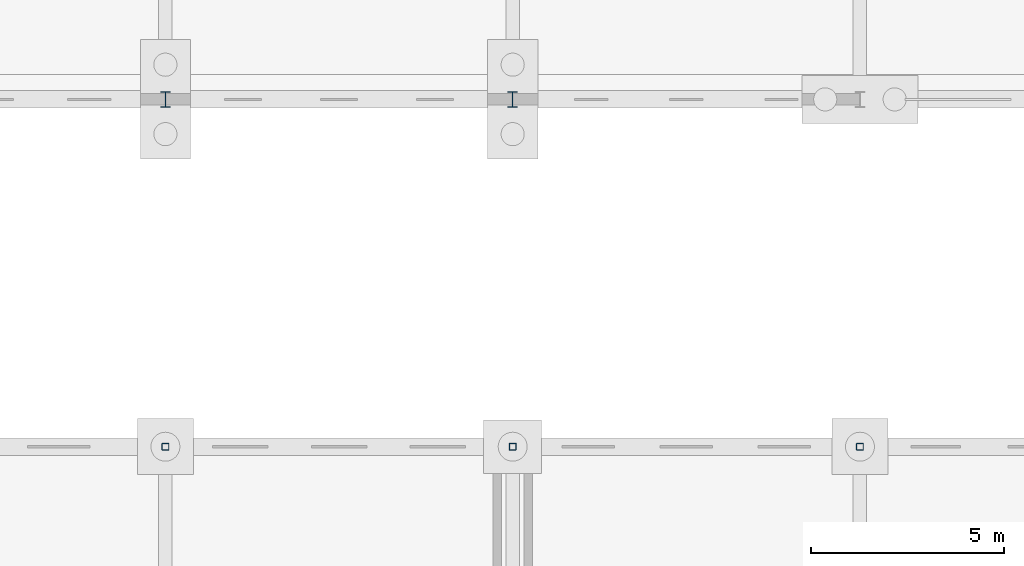
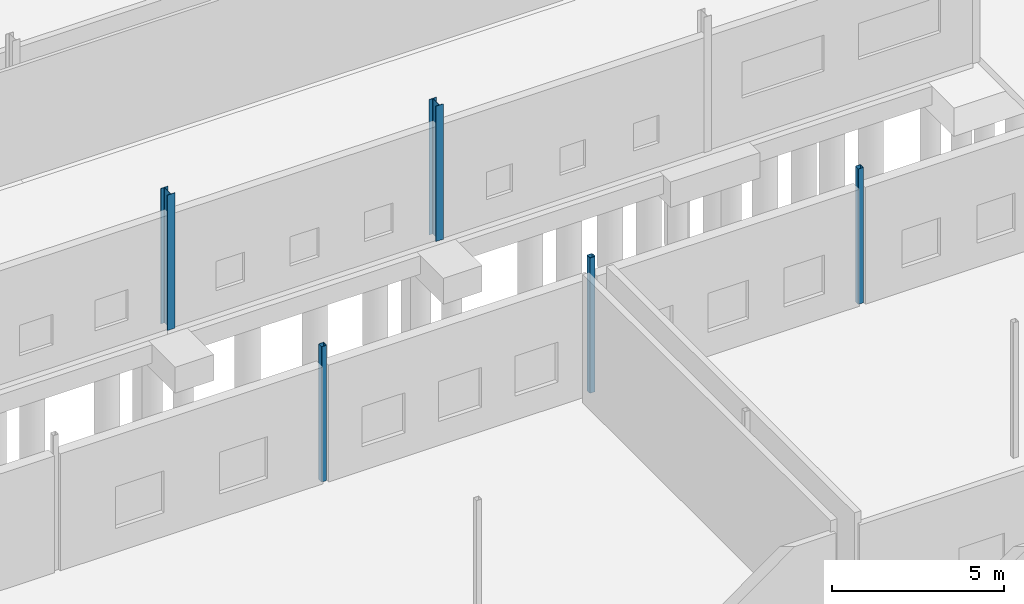
# One storey, part 42 of 112: 5 columns.
"""IFC4 building model written with IfcOpenShell, lengths in metres."""

from ifc_helpers import new_model, si_unit, direction, frame, origin, origin_2d, place, context, subcontext, project, spatial, hollow_rectangle, i_section, extrude, material, material_profile, profile_set, type_object, element, save


model = new_model("IFC4")

# Units and contexts
model_context = context("Model", 3, precision=1e-05, world=origin(), true_north=direction((0.0, 1.0)))
body_context = subcontext(model_context, "Body", "Model", "MODEL_VIEW")
ifc_project = project(units=[si_unit("LENGTHUNIT", "METRE"), si_unit("AREAUNIT", "SQUARE_METRE"), si_unit("VOLUMEUNIT", "CUBIC_METRE"), si_unit("PLANEANGLEUNIT", "RADIAN"), si_unit("MASSUNIT", "GRAM", prefix="KILO")], contexts=[model_context])

# Site, building, storey
site_placement = place(None, origin())
site = spatial("IfcSite", under=ifc_project, at=site_placement, CompositionType="ELEMENT")
building_placement = place(site_placement, origin())
building = spatial("IfcBuilding", under=site, at=building_placement, Name="Tharagai Park Tramway Depot", CompositionType="ELEMENT")
storey_placement = place(building_placement, origin())
storey = spatial("IfcBuildingStorey", under=building, at=storey_placement, Name="L00", CompositionType="ELEMENT", Elevation=0.0)

# Columns
ifc_material = material(Name="Steel E350", Category="steel")
ifc_material_profile_1 = material_profile(ifc_material, hollow_rectangle(XDim=0.179931640625, YDim=0.179931640625, WallThickness=0.008056640625, InnerFilletRadius=0.008056640625, OuterFilletRadius=0.01611328125, at=origin_2d()), Name="SHS 180x180x8")
ifc_profile_set_1 = profile_set([ifc_material_profile_1], Name="Steel E350")
column_type_1 = type_object("IfcColumnType", Name="CL-04", PredefinedType="COLUMN", material=ifc_profile_set_1)
for number, where, z_axis, x_axis, name in (
    (1, (189.0, 81.0, 0.0), (0.0, 0.0, 1.0), (1.0, 0.0, 0.0), "L00 Structural Column CL-04 (189,81)"),
    (2, (198.0, 81.0, 0.0), (0.0, 0.0, 1.0), (1.0, 0.0, 0.0), "L00 Structural Column CL-04 (198,81)"),
    (3, (207.0, 81.0, 0.0), (0.0, 0.0, 1.0), (1.0, 0.0, 0.0), "L00 Structural Column CL-04 (207,81)"),
):
    element("IfcColumn", number, at=place(storey_placement, frame(where, z_axis=z_axis, x_axis=x_axis)), inside=storey, type_object=column_type_1, Name=name, PredefinedType="COLUMN", context=body_context, shape_type="SweptSolid", body=[
        extrude(hollow_rectangle(XDim=0.179931640625, YDim=0.179931640625, WallThickness=0.008056640625, InnerFilletRadius=0.008056640625, OuterFilletRadius=0.01611328125, at=origin_2d()), origin(), (0.0, 0.0, 1.0), 4.800048828125),
    ])
ifc_material_profile_2 = material_profile(ifc_material, i_section(OverallWidth=0.25, OverallDepth=0.39990234375, WebThickness=0.010498046875, FlangeThickness=0.0126953125, FilletRadius=0.013916015625, at=origin_2d()), Name="ISHB 400")
ifc_profile_set_2 = profile_set([ifc_material_profile_2], Name="Steel E350")
column_type_2 = type_object("IfcColumnType", Name="CL-06", PredefinedType="COLUMN", material=ifc_profile_set_2)
for number, where, z_axis, x_axis, name in (
    (4, (189.0, 90.0, 0.0), (0.0, 0.0, 1.0), (1.0, 0.0, 0.0), "L00 Structural Column CL-06 (189,90)"),
    (5, (198.0, 90.0, 0.0), (0.0, 0.0, 1.0), (1.0, 0.0, 0.0), "L00 Structural Column CL-06 (198,90)"),
):
    element("IfcColumn", number, at=place(storey_placement, frame(where, z_axis=z_axis, x_axis=x_axis)), inside=storey, type_object=column_type_2, Name=name, PredefinedType="COLUMN", context=body_context, shape_type="SweptSolid", body=[
        extrude(i_section(OverallWidth=0.25, OverallDepth=0.39990234375, WebThickness=0.010498046875, FlangeThickness=0.0126953125, FilletRadius=0.013916015625, at=origin_2d()), origin(), (0.0, 0.0, 1.0), 4.800048828125),
    ])

save(model, "model.ifc")
